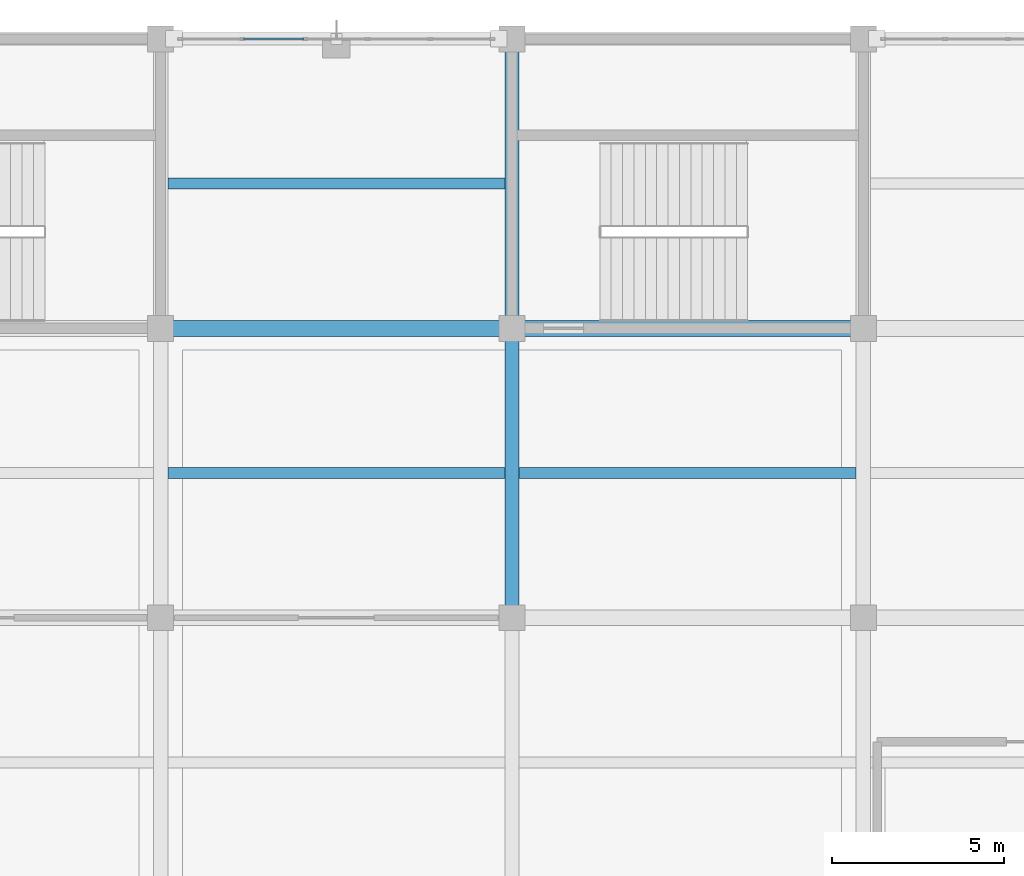
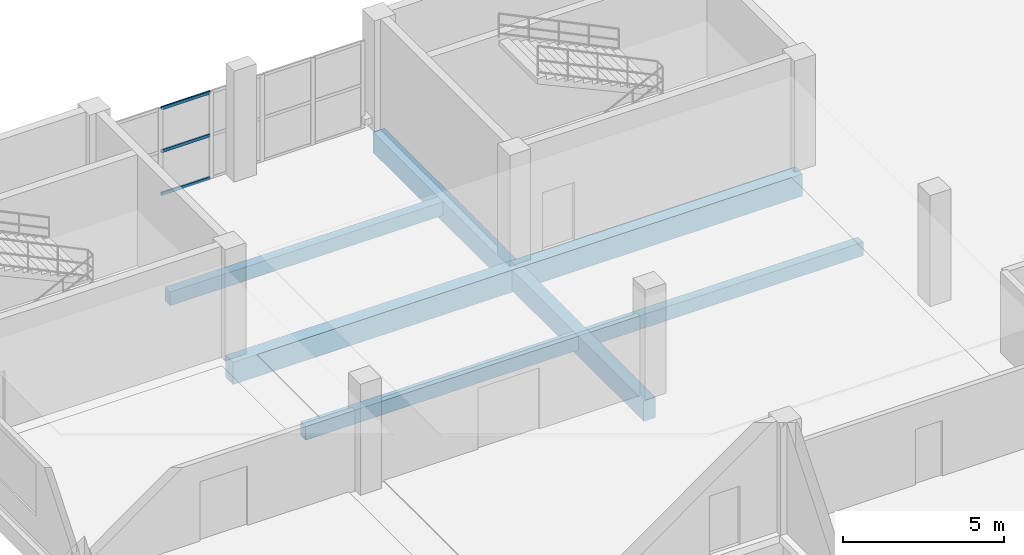
# One storey, part 88 of 157: 7 beams, 3 members, 1 element without a shape of its own.
"""IFC4 building model written with IfcOpenShell, lengths in metres."""

from ifc_helpers import new_model, si_unit, direction, frame, origin, origin_2d, place, context, subcontext, project, spatial, rectangle, hollow_rectangle, extrude, material, material_profile, profile_set, type_object, element, aggregate, save


model = new_model("IFC4")

# Units and contexts
model_context = context("Model", 3, precision=1e-05, world=origin(), true_north=direction((0.0, 1.0)))
body_context = subcontext(model_context, "Body", "Model", "MODEL_VIEW")
ifc_project = project(units=[si_unit("LENGTHUNIT", "METRE"), si_unit("AREAUNIT", "SQUARE_METRE"), si_unit("VOLUMEUNIT", "CUBIC_METRE"), si_unit("PLANEANGLEUNIT", "RADIAN"), si_unit("MASSUNIT", "GRAM", prefix="KILO")], contexts=[model_context])

# Site, building, storey
site_placement = place(None, origin())
site = spatial("IfcSite", under=ifc_project, at=site_placement, CompositionType="ELEMENT")
building_placement = place(site_placement, origin())
building = spatial("IfcBuilding", under=site, at=building_placement, Name="Brelvane Convention Centre", CompositionType="ELEMENT")
storey_placement = place(building_placement, frame((0.0, 0.0, 10.800048828125)))
storey = spatial("IfcBuildingStorey", under=building, at=storey_placement, Name="L02", CompositionType="ELEMENT", Elevation=10.800048828125)

# Curtain wall, members
ifc_material_1 = material(Name="Anodised Aluminium Alloy 6063-T6", Category="aluminium")
curtain_wall_type = type_object("IfcCurtainWallType", Name="Curtain Wall CW-BOUL", PredefinedType="USERDEFINED", material=ifc_material_1)
curtain_wall_placement = place(storey_placement, origin())
curtain_wall = element("IfcCurtainWall", 1, at=curtain_wall_placement, inside=storey, type_object=curtain_wall_type, Name="Curtain Wall CW-BOUL L02-V4N-02", ObjectType="UNITISED", PredefinedType="USERDEFINED")
ifc_material_2 = material(Name="Anodised Aluminium Alloy 6063-T6", Category="aluminium")
ifc_material_profile_1 = material_profile(ifc_material_2, hollow_rectangle(XDim=0.06005859375, YDim=0.1201171875, WallThickness=0.00390625, InnerFilletRadius=0.00390625, OuterFilletRadius=0.008056640625, at=origin_2d()), Name="ALU-T 120x60x4.0")
ifc_profile_set_1 = profile_set([ifc_material_profile_1], Name="Anodised Aluminium Alloy 6063-T6")
member_type = type_object("IfcMemberType", Name="Curtain Transom CW-T3", PredefinedType="USERDEFINED", material=ifc_profile_set_1)
member_1_placement = place(storey_placement, frame((12.6025390625, 144.0, 0.030029296875), z_axis=(1.0, 0.0, 0.0), x_axis=(0.0, 1.0, 0.0)))
member_1 = element("IfcMember", 2, at=member_1_placement, type_object=member_type, Name="CW-BOUL transom 2.1", ObjectType="TRANSOM", PredefinedType="USERDEFINED", context=body_context, shape_type="SweptSolid", body=[
    extrude(hollow_rectangle(XDim=0.06005859375, YDim=0.1201171875, WallThickness=0.00390625, InnerFilletRadius=0.00390625, OuterFilletRadius=0.008056640625, at=origin_2d()), origin(), (0.0, 0.0, 1.0), 1.7548828125),
])
member_2_placement = place(storey_placement, frame((12.6025390625, 144.0, 1.64990234375), z_axis=(1.0, 0.0, 0.0), x_axis=(0.0, 1.0, 0.0)))
member_2 = element("IfcMember", 3, at=member_2_placement, type_object=member_type, Name="CW-BOUL transom 2.2", ObjectType="TRANSOM", PredefinedType="USERDEFINED", context=body_context, shape_type="SweptSolid", body=[
    extrude(hollow_rectangle(XDim=0.06005859375, YDim=0.1201171875, WallThickness=0.00390625, InnerFilletRadius=0.00390625, OuterFilletRadius=0.008056640625, at=origin_2d()), origin(), (0.0, 0.0, 1.0), 1.7548828125),
])
member_3_placement = place(storey_placement, frame((12.6025390625, 144.0, 3.27001953125), z_axis=(1.0, 0.0, 0.0), x_axis=(0.0, 1.0, 0.0)))
member_3 = element("IfcMember", 4, at=member_3_placement, type_object=member_type, Name="CW-BOUL transom 2.3", ObjectType="TRANSOM", PredefinedType="USERDEFINED", context=body_context, shape_type="SweptSolid", body=[
    extrude(hollow_rectangle(XDim=0.06005859375, YDim=0.1201171875, WallThickness=0.00390625, InnerFilletRadius=0.00390625, OuterFilletRadius=0.008056640625, at=origin_2d()), origin(), (0.0, 0.0, 1.0), 1.7548828125),
])
aggregate(curtain_wall, [member_1, member_2, member_3])

# Beams
ifc_material_3 = material(Name="Concrete M40", Category="concrete")
ifc_material_profile_2 = material_profile(ifc_material_3, rectangle(XDim=0.4599609375, YDim=0.840087890625, at=origin_2d()), Name="RC 460x840")
ifc_profile_set_2 = profile_set([ifc_material_profile_2], Name="Concrete M40")
beam_type_1 = type_object("IfcBeamType", Name="RC Beam B-RC11 (RC 460x840)", PredefinedType="BEAM", material=ifc_profile_set_2)
beam_1_placement = place(storey_placement, frame((10.199951171875, 135.60009765625, -0.699951171875), z_axis=(1.0, 0.0, 0.0), x_axis=(0.0, 1.0, 0.0)))
element("IfcBeam", 5, at=beam_1_placement, inside=storey, type_object=beam_type_1, Name="L02 Beam 2-3/P", PredefinedType="BEAM", context=body_context, shape_type="SweptSolid", body=[
    extrude(rectangle(XDim=0.4599609375, YDim=0.840087890625, at=origin_2d()), origin(), (0.0, 0.0, 1.0), 10.199951171875),
])
beam_2_placement = place(storey_placement, frame((20.39990234375, 135.60009765625, -0.699951171875), z_axis=(1.0, 0.0, 0.0), x_axis=(0.0, 1.0, 0.0)))
element("IfcBeam", 6, at=beam_2_placement, inside=storey, type_object=beam_type_1, Name="L02 Beam 3-4/P", PredefinedType="BEAM", context=body_context, shape_type="SweptSolid", body=[
    extrude(rectangle(XDim=0.4599609375, YDim=0.840087890625, at=origin_2d()), origin(), (0.0, 0.0, 1.0), 10.2001953125),
])
ifc_material_4 = material(Name="Concrete M40", Category="concrete")
ifc_material_profile_3 = material_profile(ifc_material_4, rectangle(XDim=0.419921875, YDim=0.780029296875, at=origin_2d()), Name="RC 420x780")
ifc_profile_set_3 = profile_set([ifc_material_profile_3], Name="Concrete M40")
beam_type_2 = type_object("IfcBeamType", Name="RC Beam B-RC12 (RC 420x780)", PredefinedType="BEAM", material=ifc_profile_set_3)
beam_3_placement = place(storey_placement, frame((20.39990234375, 127.199951171875, -0.670166015625), z_axis=(0.0, 1.0, 0.0), x_axis=(-1.0, 0.0, 0.0)))
element("IfcBeam", 7, at=beam_3_placement, inside=storey, type_object=beam_type_2, Name="L02 Girder 3/N-P", PredefinedType="BEAM", context=body_context, shape_type="SweptSolid", body=[
    extrude(rectangle(XDim=0.419921875, YDim=0.780029296875, at=origin_2d()), origin(), (0.0, 0.0, 1.0), 8.400146484375),
])
beam_4_placement = place(storey_placement, frame((20.39990234375, 135.60009765625, -0.670166015625), z_axis=(0.0, 1.0, 0.0), x_axis=(-1.0, 0.0, 0.0)))
element("IfcBeam", 8, at=beam_4_placement, inside=storey, type_object=beam_type_2, Name="L02 Girder 3/P-Q", PredefinedType="BEAM", context=body_context, shape_type="SweptSolid", body=[
    extrude(rectangle(XDim=0.419921875, YDim=0.780029296875, at=origin_2d()), origin(), (0.0, 0.0, 1.0), 8.39990234375),
])
ifc_material_5 = material(Name="Concrete M40", Category="concrete")
ifc_material_profile_4 = material_profile(ifc_material_5, rectangle(XDim=0.320068359375, YDim=0.52001953125, at=origin_2d()), Name="RC 320x520")
ifc_profile_set_4 = profile_set([ifc_material_profile_4], Name="Concrete M40")
beam_type_3 = type_object("IfcBeamType", Name="RC Joist J-RC4 (RC 320x520)", PredefinedType="JOIST", material=ifc_profile_set_4)
for number, where, z_axis, x_axis, name in (
    (9, (10.409912109375, 131.39990234375, -0.5400390625), (1.0, 0.0, 0.0), (0.0, 1.0, 0.0), "L02 Secondary Joist 2-3/NP"),
    (10, (10.409912109375, 139.800048828125, -0.5400390625), (1.0, 0.0, 0.0), (0.0, 1.0, 0.0), "L02 Secondary Joist 2-3/PQ"),
):
    element("IfcBeam", number, at=place(storey_placement, frame(where, z_axis=z_axis, x_axis=x_axis)), inside=storey, type_object=beam_type_3, Name=name, PredefinedType="JOIST", context=body_context, shape_type="SweptSolid", body=[
        extrude(rectangle(XDim=0.320068359375, YDim=0.52001953125, at=origin_2d()), origin(), (0.0, 0.0, 1.0), 9.780029296875),
    ])
beam_5_placement = place(storey_placement, frame((20.610107421875, 131.39990234375, -0.5400390625), z_axis=(1.0, 0.0, 0.0), x_axis=(0.0, 1.0, 0.0)))
element("IfcBeam", 11, at=beam_5_placement, inside=storey, type_object=beam_type_3, Name="L02 Secondary Joist 3-4/NP", PredefinedType="JOIST", context=body_context, shape_type="SweptSolid", body=[
    extrude(rectangle(XDim=0.320068359375, YDim=0.52001953125, at=origin_2d()), origin(), (0.0, 0.0, 1.0), 9.77978515625),
])

save(model, "model.ifc")
